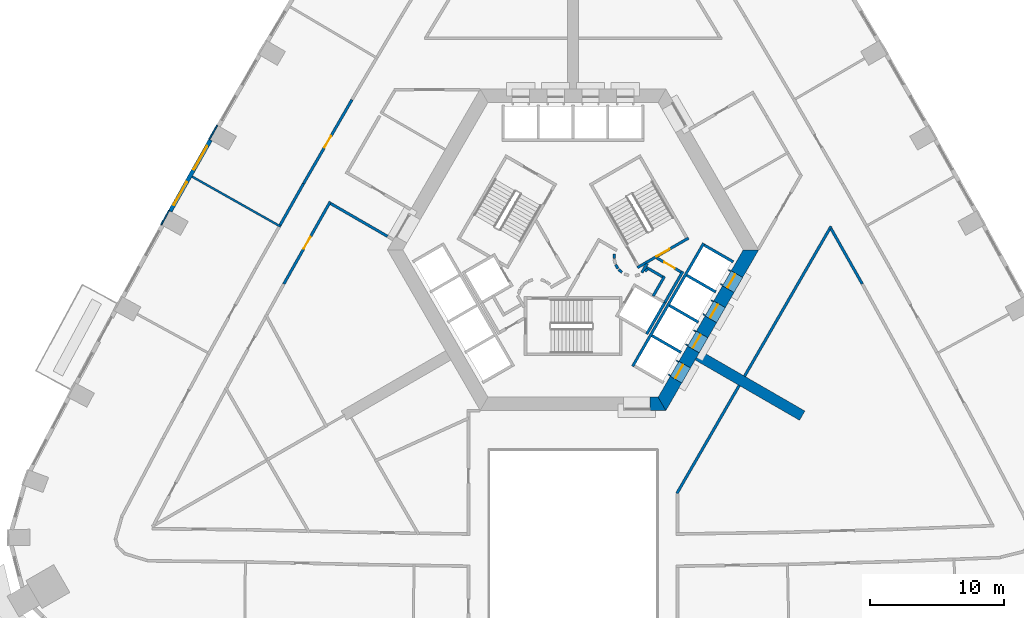
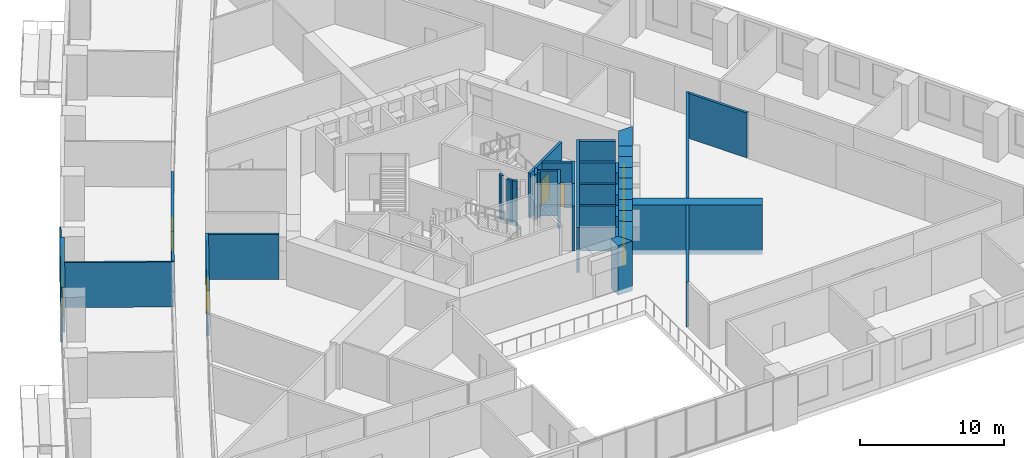
# One storey, part 7 of 15: 42 walls, 8 doors, 2 windows, 10 openings.
"""IFC4 building model written with IfcOpenShell, lengths in metres."""

from ifc_helpers import new_model, si_unit, direction, frame, frame_2d, origin, place, context, subcontext, project, spatial, polyline, rectangle, outline, extrude, material, layer, layer_set, type_object, element, fill, save


model = new_model("IFC4")

# Units and contexts
model_context = context("Model", 3, precision=1e-05, world=origin(), true_north=direction((0.0, 1.0)))
body_context = subcontext(model_context, "Body", "Model", "MODEL_VIEW")
ifc_project = project(units=[si_unit("LENGTHUNIT", "METRE"), si_unit("AREAUNIT", "SQUARE_METRE"), si_unit("VOLUMEUNIT", "CUBIC_METRE"), si_unit("PLANEANGLEUNIT", "RADIAN"), si_unit("MASSUNIT", "GRAM", prefix="KILO")], contexts=[model_context])

# Site, building, storey
site_placement = place(None, origin())
site = spatial("IfcSite", under=ifc_project, at=site_placement, CompositionType="ELEMENT")
building_placement = place(site_placement, origin())
building = spatial("IfcBuilding", under=site, at=building_placement, Name="Entoto Arch Interchange Tower", CompositionType="ELEMENT")
storey_placement = place(building_placement, frame((0.0, 0.0, 56.0)))
storey = spatial("IfcBuildingStorey", under=building, at=storey_placement, Name="L11", CompositionType="ELEMENT", Elevation=56.0)

# Walls
ifc_material_1 = material(Name="Concrete C60/75", Category="concrete")
ifc_layer_1 = layer(ifc_material_1, 0.800048828125)
ifc_layer_set_1 = layer_set([ifc_layer_1], Name="Concrete C60/75")
wall_type_1 = type_object("IfcWallType", Name="Buttress wall 800 C60/75", PredefinedType="SHEAR", material=ifc_layer_set_1)
wall_1_placement = place(storey_placement, frame((9.31005859375, -5.375, -0.39990234375), z_axis=(0.0, 0.0, 1.0), x_axis=(0.866017533419, -0.500013631625, 0.0)))
element("IfcWall", 1, at=wall_1_placement, inside=storey, type_object=wall_type_1, Name="Buttress wall SE L11", PredefinedType="SHEAR", context=body_context, shape_type="SweptSolid", body=[
    extrude(rectangle(XDim=8.999755859375, YDim=0.800048828125, at=frame_2d((4.5, 0.0))), origin(), (0.0, 0.0, 1.0), 4.199951171875),
])
ifc_layer_2 = layer(ifc_material_1, 1.0)
ifc_layer_set_2 = layer_set([ifc_layer_2], Name="Concrete C60/75")
wall_type_2 = type_object("IfcWallType", Name="Core wall 1000 C60/75", PredefinedType="SHEAR", material=ifc_layer_set_2)
wall_2_placement = place(storey_placement, frame((0.0, 0.0, -0.39990234375)))
element("IfcWall", 2, at=wall_2_placement, inside=storey, type_object=wall_type_2, Name="Core wall S L11", PredefinedType="SHEAR", context=body_context, shape_type="SweptSolid", body=[
    extrude(outline(polyline([(5.75, -8.5), (5.75, -9.5), (6.927978515625, -9.5), (6.35107421875, -8.5), (5.75, -8.5)])), origin(), (0.0, 0.0, 1.0), 4.199951171875),
])
wall_3_placement = place(storey_placement, frame((0.0, 0.0, -0.39990234375)))
element("IfcWall", 3, at=wall_3_placement, inside=storey, type_object=wall_type_2, Name="Core wall SE L11", PredefinedType="SHEAR", context=body_context, shape_type="SweptSolid", body=[
    extrude(outline(polyline([(8.116943359375, -7.43994140625), (7.251953125, -6.93994140625), (6.35107421875, -8.5), (6.927978515625, -9.5), (8.116943359375, -7.43994140625)])), origin(), (0.0, 0.0, 1.0), 4.199951171875),
])
wall_4_placement = place(storey_placement, frame((0.0, 0.0, -0.39990234375)))
element("IfcWall", 4, at=wall_4_placement, inside=storey, type_object=wall_type_2, Name="Core wall SE L11", PredefinedType="SHEAR", context=body_context, shape_type="SweptSolid", body=[
    extrude(outline(polyline([(9.4169921875, -5.18896484375), (8.551025390625, -4.68896484375), (7.902099609375, -5.81396484375), (8.76708984375, -6.31396484375), (9.4169921875, -5.18896484375)])), origin(), (0.0, 0.0, 1.0), 4.199951171875),
])
wall_5_placement = place(storey_placement, frame((0.0, 0.0, -0.39990234375)))
element("IfcWall", 5, at=wall_5_placement, inside=storey, type_object=wall_type_2, Name="Core wall SE L11", PredefinedType="SHEAR", context=body_context, shape_type="SweptSolid", body=[
    extrude(outline(polyline([(10.717041015625, -2.93701171875), (9.85107421875, -2.43701171875), (9.200927734375, -3.56298828125), (10.06689453125, -4.06298828125), (10.717041015625, -2.93701171875)])), origin(), (0.0, 0.0, 1.0), 4.199951171875),
])
wall_6_placement = place(storey_placement, frame((0.0, 0.0, -0.39990234375)))
element("IfcWall", 6, at=wall_6_placement, inside=storey, type_object=wall_type_2, Name="Core wall SE L11", PredefinedType="SHEAR", context=body_context, shape_type="SweptSolid", body=[
    extrude(outline(polyline([(12.01708984375, -0.68603515625), (11.15087890625, -0.18603515625), (10.5009765625, -1.31103515625), (11.366943359375, -1.81103515625), (12.01708984375, -0.68603515625)])), origin(), (0.0, 0.0, 1.0), 4.199951171875),
])
wall_7_placement = place(storey_placement, frame((0.0, 0.0, -0.39990234375)))
element("IfcWall", 7, at=wall_7_placement, inside=storey, type_object=wall_type_2, Name="Core wall SE L11", PredefinedType="SHEAR", context=body_context, shape_type="SweptSolid", body=[
    extrude(outline(polyline([(11.801025390625, 0.93994140625), (12.6669921875, 0.43994140625), (13.85595703125, 2.5), (12.701904296875, 2.5), (11.801025390625, 0.93994140625)])), origin(), (0.0, 0.0, 1.0), 4.199951171875),
])
wall_8_placement = place(storey_placement, frame((0.0, 0.0, 3.60009765625)))
element("IfcWall", 8, at=wall_8_placement, inside=storey, type_object=wall_type_2, Name="Core wall lintel SE L11", PredefinedType="SHEAR", context=body_context, shape_type="SweptSolid", body=[
    extrude(outline(polyline([(8.76708984375, -6.31396484375), (7.902099609375, -5.81396484375), (7.251953125, -6.93994140625), (8.116943359375, -7.43994140625), (8.76708984375, -6.31396484375)])), origin(), (0.0, 0.0, 1.0), 0.199951171875),
])
wall_9_placement = place(storey_placement, frame((0.0, 0.0, 3.60009765625)))
element("IfcWall", 9, at=wall_9_placement, inside=storey, type_object=wall_type_2, Name="Core wall lintel SE L11", PredefinedType="SHEAR", context=body_context, shape_type="SweptSolid", body=[
    extrude(outline(polyline([(10.06689453125, -4.06298828125), (9.200927734375, -3.56298828125), (8.551025390625, -4.68896484375), (9.4169921875, -5.18896484375), (10.06689453125, -4.06298828125)])), origin(), (0.0, 0.0, 1.0), 0.199951171875),
])
wall_10_placement = place(storey_placement, frame((0.0, 0.0, 3.60009765625)))
element("IfcWall", 10, at=wall_10_placement, inside=storey, type_object=wall_type_2, Name="Core wall lintel SE L11", PredefinedType="SHEAR", context=body_context, shape_type="SweptSolid", body=[
    extrude(outline(polyline([(11.366943359375, -1.81103515625), (10.5009765625, -1.31103515625), (9.85107421875, -2.43701171875), (10.717041015625, -2.93701171875), (11.366943359375, -1.81103515625)])), origin(), (0.0, 0.0, 1.0), 0.199951171875),
])
wall_11_placement = place(storey_placement, frame((0.0, 0.0, 3.60009765625)))
element("IfcWall", 11, at=wall_11_placement, inside=storey, type_object=wall_type_2, Name="Core wall lintel SE L11", PredefinedType="SHEAR", context=body_context, shape_type="SweptSolid", body=[
    extrude(outline(polyline([(12.6669921875, 0.43994140625), (11.801025390625, 0.93994140625), (11.15087890625, -0.18603515625), (12.01708984375, -0.68603515625), (12.6669921875, 0.43994140625)])), origin(), (0.0, 0.0, 1.0), 0.199951171875),
])

# Wall, opening, door
ifc_material_2 = material(Name="Concrete C40/50", Category="concrete")
ifc_layer_3 = layer(ifc_material_2, 1.199951171875)
ifc_layer_set_3 = layer_set([ifc_layer_3], Name="Concrete C40/50")
wall_type_3 = type_object("IfcWallType", Name="LIFT LANDING INFILL WALL", PredefinedType="STANDARD", material=ifc_layer_set_3)
wall_12_placement = place(storey_placement, frame((7.597900390625, -7.139892578125, 0.0), z_axis=(0.0, 0.0, 1.0), x_axis=(0.500362116554, 0.865816234728, 0.0)))
wall_12 = element("IfcWall", 12, at=wall_12_placement, inside=storey, type_object=wall_type_3, Name="Lift landing infill wall LR5 L11", PredefinedType="STANDARD", context=body_context, shape_type="SweptSolid", body=[
    extrude(rectangle(XDim=1.29931640625, YDim=1.199951171875, at=frame_2d((0.649658203125, 0.0))), origin(), (0.0, 0.0, 1.0), 2.39990234375),
])
opening_1_placement = place(wall_12_placement, frame((0.10009765625, 0.0, 0.0)))
opening_1 = element("IfcOpeningElement", 13, at=opening_1_placement, cuts=wall_12, Name="Opening LD-LR5-L11", PredefinedType="OPENING", context=body_context, shape_type="SweptSolid", body=[
    extrude(rectangle(XDim=1.10009765625, YDim=2.300048828125, at=frame_2d((0.550048828125, 1.14990234375))), frame((0.0, 0.60986328125, 0.0), z_axis=(0.0, -1.0, 0.0), x_axis=(1.0, 0.0, 0.0)), (0.0, 0.0, 1.0), 1.219970703125),
])
ifc_material_3 = material(Name="Stainless steel 1.4301 panels", Category="steel")
door_type_1 = type_object("IfcDoorType", Name="LIFT LANDING DOOR LD2 1100x2300", OperationType="SLIDING_TO_LEFT", PredefinedType="DOOR", material=ifc_material_3)
door_1_placement = place(opening_1_placement, origin())
door_1 = element("IfcDoor", 14, at=door_1_placement, inside=storey, type_object=door_type_1, Name="Lift landing door LR5 L11", OperationType="SLIDING_TO_LEFT", OverallHeight=2.300048828125, OverallWidth=1.10009765625, PredefinedType="DOOR", context=body_context, shape_type="SweptSolid", body=[
    extrude(rectangle(XDim=1.10009765625, YDim=2.300048828125, at=frame_2d((0.550048828125, 1.14990234375))), frame((0.0, 0.02490234375, 0.0), z_axis=(0.0, -1.0, 0.0), x_axis=(1.0, 0.0, 0.0)), (0.0, 0.0, 1.0), 0.050048828125),
])
fill(opening_1, door_1)

wall_13_placement = place(storey_placement, frame((8.89794921875, -4.888916015625, 0.0), z_axis=(0.0, 0.0, 1.0), x_axis=(0.500036693733, 0.866004217611, 0.0)))
wall_13 = element("IfcWall", 15, at=wall_13_placement, inside=storey, type_object=wall_type_3, Name="Lift landing infill wall LR6 L11", PredefinedType="STANDARD", context=body_context, shape_type="SweptSolid", body=[
    extrude(rectangle(XDim=1.30029296875, YDim=1.199951171875, at=frame_2d((0.650146484375, 0.0))), origin(), (0.0, 0.0, 1.0), 2.39990234375),
])
opening_2_placement = place(wall_13_placement, frame((0.10009765625, 0.0, 0.0)))
opening_2 = element("IfcOpeningElement", 16, at=opening_2_placement, cuts=wall_13, Name="Opening LD-LR6-L11", PredefinedType="OPENING", context=body_context, shape_type="SweptSolid", body=[
    extrude(rectangle(XDim=1.10009765625, YDim=2.300048828125, at=frame_2d((0.550048828125, 1.14990234375))), frame((0.0, 0.60986328125, 0.0), z_axis=(0.0, -1.0, 0.0), x_axis=(1.0, 0.0, 0.0)), (0.0, 0.0, 1.0), 1.219970703125),
])
door_2_placement = place(opening_2_placement, origin())
door_2 = element("IfcDoor", 17, at=door_2_placement, inside=storey, type_object=door_type_1, Name="Lift landing door LR6 L11", OperationType="SLIDING_TO_LEFT", OverallHeight=2.300048828125, OverallWidth=1.10009765625, PredefinedType="DOOR", context=body_context, shape_type="SweptSolid", body=[
    extrude(rectangle(XDim=1.10009765625, YDim=2.300048828125, at=frame_2d((0.550048828125, 1.14990234375))), frame((0.0, 0.02490234375, 0.0), z_axis=(0.0, -1.0, 0.0), x_axis=(1.0, 0.0, 0.0)), (0.0, 0.0, 1.0), 0.050048828125),
])
fill(opening_2, door_2)

wall_14_placement = place(storey_placement, frame((10.197998046875, -2.636962890625, 0.0), z_axis=(0.0, 0.0, 1.0), x_axis=(0.49989585183, 0.866085525409, 0.0)))
wall_14 = element("IfcWall", 18, at=wall_14_placement, inside=storey, type_object=wall_type_3, Name="Lift landing infill wall LR7 L11", PredefinedType="STANDARD", context=body_context, shape_type="SweptSolid", body=[
    extrude(rectangle(XDim=1.300048828125, YDim=1.199951171875, at=frame_2d((0.64990234375, 0.0))), origin(), (0.0, 0.0, 1.0), 2.39990234375),
])
opening_3_placement = place(wall_14_placement, frame((0.10009765625, 0.0, 0.0)))
opening_3 = element("IfcOpeningElement", 19, at=opening_3_placement, cuts=wall_14, Name="Opening LD-LR7-L11", PredefinedType="OPENING", context=body_context, shape_type="SweptSolid", body=[
    extrude(rectangle(XDim=1.10009765625, YDim=2.300048828125, at=frame_2d((0.550048828125, 1.14990234375))), frame((0.0, 0.60986328125, 0.0), z_axis=(0.0, -1.0, 0.0), x_axis=(1.0, 0.0, 0.0)), (0.0, 0.0, 1.0), 1.219970703125),
])
door_3_placement = place(opening_3_placement, origin())
door_3 = element("IfcDoor", 20, at=door_3_placement, inside=storey, type_object=door_type_1, Name="Lift landing door LR7 L11", OperationType="SLIDING_TO_LEFT", OverallHeight=2.300048828125, OverallWidth=1.10009765625, PredefinedType="DOOR", context=body_context, shape_type="SweptSolid", body=[
    extrude(rectangle(XDim=1.10009765625, YDim=2.300048828125, at=frame_2d((0.550048828125, 1.14990234375))), frame((0.0, 0.02490234375, 0.0), z_axis=(0.0, -1.0, 0.0), x_axis=(1.0, 0.0, 0.0)), (0.0, 0.0, 1.0), 0.050048828125),
])
fill(opening_3, door_3)

wall_15_placement = place(storey_placement, frame((11.498046875, -0.385009765625, 0.0), z_axis=(0.0, 0.0, 1.0), x_axis=(0.500221244143, 0.865897630733, 0.0)))
wall_15 = element("IfcWall", 21, at=wall_15_placement, inside=storey, type_object=wall_type_3, Name="Lift landing infill wall LR8 L11", PredefinedType="STANDARD", context=body_context, shape_type="SweptSolid", body=[
    extrude(rectangle(XDim=1.29931640625, YDim=1.199951171875, at=frame_2d((0.649658203125, 0.0))), origin(), (0.0, 0.0, 1.0), 2.39990234375),
])
opening_4_placement = place(wall_15_placement, frame((0.10009765625, 0.0, 0.0)))
opening_4 = element("IfcOpeningElement", 22, at=opening_4_placement, cuts=wall_15, Name="Opening LD-LR8-L11", PredefinedType="OPENING", context=body_context, shape_type="SweptSolid", body=[
    extrude(rectangle(XDim=1.10009765625, YDim=2.300048828125, at=frame_2d((0.550048828125, 1.14990234375))), frame((0.0, 0.60986328125, 0.0), z_axis=(0.0, -1.0, 0.0), x_axis=(1.0, 0.0, 0.0)), (0.0, 0.0, 1.0), 1.219970703125),
])
door_4_placement = place(opening_4_placement, origin())
door_4 = element("IfcDoor", 23, at=door_4_placement, inside=storey, type_object=door_type_1, Name="Lift landing door LR8 L11", OperationType="SLIDING_TO_LEFT", OverallHeight=2.300048828125, OverallWidth=1.10009765625, PredefinedType="DOOR", context=body_context, shape_type="SweptSolid", body=[
    extrude(rectangle(XDim=1.10009765625, YDim=2.300048828125, at=frame_2d((0.550048828125, 1.14990234375))), frame((0.0, 0.02490234375, 0.0), z_axis=(0.0, -1.0, 0.0), x_axis=(1.0, 0.0, 0.0)), (0.0, 0.0, 1.0), 0.050048828125),
])
fill(opening_4, door_4)

# Walls
ifc_layer_4 = layer(ifc_material_2, 0.199951171875)
ifc_layer_set_4 = layer_set([ifc_layer_4], Name="Concrete C40/50")
wall_type_4 = type_object("IfcWallType", Name="LIFT SHAFT WALL 200", PredefinedType="STANDARD", material=ifc_layer_set_4)
wall_16_placement = place(storey_placement, frame((5.491943359375, -3.7880859375, 0.0), z_axis=(0.0, 0.0, 1.0), x_axis=(0.500011755427, 0.866018616679, 0.0)))
element("IfcWall", 24, at=wall_16_placement, inside=storey, type_object=wall_type_4, Name="Shaft wall SE1 back", PredefinedType="STANDARD", context=body_context, shape_type="SweptSolid", body=[
    extrude(rectangle(XDim=2.80029296875, YDim=0.199951171875, at=frame_2d((1.400146484375, 0.0))), origin(), (0.0, 0.0, 1.0), 3.800048828125),
])
wall_17_placement = place(storey_placement, frame((4.450927734375, -6.18994140625, 0.0), z_axis=(0.0, 0.0, 1.0), x_axis=(0.50000090737, 0.866024879913, 0.0)))
element("IfcWall", 25, at=wall_17_placement, inside=storey, type_object=wall_type_4, Name="Shaft wall SE3 front", PredefinedType="STANDARD", context=body_context, shape_type="SweptSolid", body=[
    extrude(rectangle(XDim=10.60009765625, YDim=0.199951171875, at=frame_2d((5.300048828125, 0.0))), origin(), (0.0, 0.0, 1.0), 3.800048828125),
])
for number, where, z_axis, x_axis, name in (
    (26, (5.887939453125, -3.902099609375, 0.0), (0.0, 0.0, 1.0), (0.866022959057, -0.500004234368, 0.0), "Shaft wall SE3 cross 2"),
    (27, (7.18798828125, -1.64990234375, 0.0), (0.0, 0.0, 1.0), (0.866022959057, -0.500004234368, 0.0), "Shaft wall SE3 cross 3"),
    (28, (8.488037109375, 0.60205078125, 0.0), (0.0, 0.0, 1.0), (0.866022959057, -0.500004234368, 0.0), "Shaft wall SE3 cross 4"),
):
    element("IfcWall", number, at=place(storey_placement, frame(where, z_axis=z_axis, x_axis=x_axis)), inside=storey, type_object=wall_type_4, Name=name, PredefinedType="STANDARD", context=body_context, shape_type="SweptSolid", body=[
        extrude(rectangle(XDim=2.5, YDim=0.199951171875, at=frame_2d((1.25, 0.0))), origin(), (0.0, 0.0, 1.0), 3.800048828125),
    ])
wall_18_placement = place(storey_placement, frame((9.7880859375, 2.85302734375, 0.0), z_axis=(0.0, 0.0, 1.0), x_axis=(0.865998541277, -0.500046524342, 0.0)))
element("IfcWall", 29, at=wall_18_placement, inside=storey, type_object=wall_type_4, Name="Shaft wall SE3 cross 5", PredefinedType="STANDARD", context=body_context, shape_type="SweptSolid", body=[
    extrude(rectangle(XDim=2.499755859375, YDim=0.199951171875, at=frame_2d((1.25, 0.0))), origin(), (0.0, 0.0, 1.0), 3.800048828125),
])
ifc_material_4 = material(Name="Gypsum board partition on steel studs", Category="steel")
ifc_layer_5 = layer(ifc_material_4, 0.14990234375)
ifc_layer_set_5 = layer_set([ifc_layer_5], Name="Gypsum board partition on steel studs")
wall_type_5 = type_object("IfcWallType", Name="PARTITION 150", PredefinedType="PARTITIONING", material=ifc_layer_set_5)
wall_19_placement = place(storey_placement, frame((-21.81298828125, 4.23095703125, 0.0), z_axis=(0.0, 0.0, 1.0), x_axis=(-0.870901264369, 0.491458022337, 0.0)))
element("IfcWall", 30, at=wall_19_placement, inside=storey, type_object=wall_type_5, Name="wall:L11:p142", PredefinedType="PARTITIONING", context=body_context, shape_type="SweptSolid", body=[
    extrude(rectangle(XDim=7.60009765625, YDim=0.14990234375, at=frame_2d((3.800048828125, 0.0))), origin(), (0.0, 0.0, 1.0), 3.800048828125),
])
ifc_layer_6 = layer(ifc_material_4, 0.199951171875)
ifc_layer_set_6 = layer_set([ifc_layer_6], Name="Gypsum board partition on steel studs")
wall_type_6 = type_object("IfcWallType", Name="PARTITION 200", PredefinedType="PARTITIONING", material=ifc_layer_set_6)
wall_20_placement = place(storey_placement, frame((21.5849609375, -0.044921875, 0.0), z_axis=(0.0, 0.0, 1.0), x_axis=(-0.491542684896, 0.870853483042, 0.0)))
element("IfcWall", 31, at=wall_20_placement, inside=storey, type_object=wall_type_6, Name="wall:L11:p024", PredefinedType="PARTITIONING", context=body_context, shape_type="SweptSolid", body=[
    extrude(rectangle(XDim=4.73779296875, YDim=0.199951171875, at=frame_2d((2.368896484375, 0.0))), origin(), (0.0, 0.0, 1.0), 3.800048828125),
])

# Wall, opening, door
wall_21_placement = place(storey_placement, frame((-18.1220703125, 6.092041015625, 0.0), z_axis=(0.0, 0.0, 1.0), x_axis=(-0.491430359405, -0.870916874251, 0.0)))
wall_21 = element("IfcWall", 32, at=wall_21_placement, inside=storey, type_object=wall_type_6, Name="wall:L11:p026", PredefinedType="PARTITIONING", context=body_context, shape_type="SweptSolid", body=[
    extrude(rectangle(XDim=7.046630859375, YDim=0.199951171875, at=frame_2d((3.5234375, 0.0))), origin(), (0.0, 0.0, 1.0), 3.800048828125),
])
opening_5_placement = place(wall_21_placement, frame((3.02392578125, 0.0, 0.0)))
opening_5 = element("IfcOpeningElement", 33, at=opening_5_placement, cuts=wall_21, Name="Opening L11-D21", PredefinedType="OPENING", context=body_context, shape_type="SweptSolid", body=[
    extrude(rectangle(XDim=1.0, YDim=2.10009765625, at=frame_2d((0.5, 1.050048828125))), frame((0.0, 0.10986328125, 0.0), z_axis=(0.0, -1.0, 0.0), x_axis=(1.0, 0.0, 0.0)), (0.0, 0.0, 1.0), 0.219970703125),
])
ifc_material_5 = material(Name="Timber door leaf in Steel S235 frame", Category="steel")
door_type_2 = type_object("IfcDoorType", Name="DOOR DS-10 1000x2100", OperationType="SINGLE_SWING_LEFT", PredefinedType="DOOR", material=ifc_material_5)
door_5_placement = place(opening_5_placement, origin())
door_5 = element("IfcDoor", 34, at=door_5_placement, inside=storey, type_object=door_type_2, Name="door:L11:21", OperationType="SINGLE_SWING_LEFT", OverallHeight=2.10009765625, OverallWidth=1.0, PredefinedType="DOOR", context=body_context, shape_type="SweptSolid", body=[
    extrude(rectangle(XDim=1.0, YDim=2.10009765625, at=frame_2d((0.5, 1.050048828125))), frame((0.0, 0.02490234375, 0.0), z_axis=(0.0, -1.0, 0.0), x_axis=(1.0, 0.0, 0.0)), (0.0, 0.0, 1.0), 0.050048828125),
])
fill(opening_5, door_5)

# Wall
wall_22_placement = place(storey_placement, frame((-21.863037109375, 4.344970703125, 0.0), z_axis=(0.0, 0.0, 1.0), x_axis=(0.491394823876, 0.87093692485, 0.0)))
element("IfcWall", 35, at=wall_22_placement, inside=storey, type_object=wall_type_6, Name="wall:L11:p064", PredefinedType="PARTITIONING", context=body_context, shape_type="SweptSolid", body=[
    extrude(rectangle(XDim=3.546875, YDim=0.199951171875, at=frame_2d((1.7734375, 0.0))), origin(), (0.0, 0.0, 1.0), 3.800048828125),
])

# Wall, opening, door
wall_23_placement = place(storey_placement, frame((-20.1201171875, 7.43408203125, 0.0), z_axis=(0.0, 0.0, 1.0), x_axis=(0.500039488902, 0.866002603656, 0.0)))
wall_23 = element("IfcWall", 36, at=wall_23_placement, inside=storey, type_object=wall_type_6, Name="wall:L11:p065", PredefinedType="PARTITIONING", context=body_context, shape_type="SweptSolid", body=[
    extrude(rectangle(XDim=7.24365234375, YDim=0.199951171875, at=frame_2d((3.621826171875, 0.0))), origin(), (0.0, 0.0, 1.0), 3.800048828125),
])
opening_6_placement = place(wall_23_placement, frame((3.1220703125, 0.0, 0.0)))
opening_6 = element("IfcOpeningElement", 37, at=opening_6_placement, cuts=wall_23, Name="Opening L11-D11", PredefinedType="OPENING", context=body_context, shape_type="SweptSolid", body=[
    extrude(rectangle(XDim=1.0, YDim=2.10009765625, at=frame_2d((0.5, 1.050048828125))), frame((0.0, 0.10986328125, 0.0), z_axis=(0.0, -1.0, 0.0), x_axis=(1.0, 0.0, 0.0)), (0.0, 0.0, 1.0), 0.219970703125),
])
door_6_placement = place(opening_6_placement, origin())
door_6 = element("IfcDoor", 38, at=door_6_placement, inside=storey, type_object=door_type_2, Name="door:L11:11", OperationType="SINGLE_SWING_LEFT", OverallHeight=2.10009765625, OverallWidth=1.0, PredefinedType="DOOR", context=body_context, shape_type="SweptSolid", body=[
    extrude(rectangle(XDim=1.0, YDim=2.10009765625, at=frame_2d((0.5, 1.050048828125))), frame((0.0, 0.02490234375, 0.0), z_axis=(0.0, -1.0, 0.0), x_axis=(1.0, 0.0, 0.0)), (0.0, 0.0, 1.0), 0.050048828125),
])
fill(opening_6, door_6)

# Walls
wall_24_placement = place(storey_placement, frame((5.389892578125, 0.89794921875, 0.0), z_axis=(0.0, 0.0, 1.0), x_axis=(0.673828488714, 0.738887791073, 0.0)))
element("IfcWall", 39, at=wall_24_placement, inside=storey, type_object=wall_type_6, Name="wall:L11:p079", PredefinedType="PARTITIONING", context=body_context, shape_type="SweptSolid", body=[
    extrude(rectangle(XDim=0.2626953125, YDim=0.199951171875, at=frame_2d((0.13134765625, 0.0))), origin(), (0.0, 0.0, 1.0), 3.800048828125),
])
wall_25_placement = place(storey_placement, frame((5.4990234375, 1.172119140625, 0.0), z_axis=(0.0, 0.0, 1.0), x_axis=(0.866333505267, -0.499465972466, 0.0)))
element("IfcWall", 40, at=wall_25_placement, inside=storey, type_object=wall_type_6, Name="wall:L11:p080", PredefinedType="PARTITIONING", context=body_context, shape_type="SweptSolid", body=[
    extrude(rectangle(XDim=1.37353515625, YDim=0.199951171875, at=frame_2d((0.686767578125, 0.0))), origin(), (0.0, 0.0, 1.0), 3.800048828125),
])
wall_26_placement = place(storey_placement, frame((6.825927734375, 0.52197265625, 0.0), z_axis=(0.0, 0.0, 1.0), x_axis=(-0.500016722714, -0.866015748706, 0.0)))
element("IfcWall", 41, at=wall_26_placement, inside=storey, type_object=wall_type_6, Name="wall:L11:p081", PredefinedType="PARTITIONING", context=body_context, shape_type="SweptSolid", body=[
    extrude(rectangle(XDim=1.69970703125, YDim=0.199951171875, at=frame_2d((0.849853515625, 0.0))), origin(), (0.0, 0.0, 1.0), 3.800048828125),
])

# Wall, opening, door
wall_27_placement = place(storey_placement, frame((6.25, 1.89404296875, 0.0), z_axis=(0.0, 0.0, 1.0), x_axis=(0.866043184279, -0.499969202016, 0.0)))
wall_27 = element("IfcWall", 42, at=wall_27_placement, inside=storey, type_object=wall_type_6, Name="wall:L11:p082", PredefinedType="PARTITIONING", context=body_context, shape_type="SweptSolid", body=[
    extrude(rectangle(XDim=2.084228515625, YDim=0.199951171875, at=frame_2d((1.0419921875, 0.0))), origin(), (0.0, 0.0, 1.0), 3.800048828125),
])
opening_7_placement = place(wall_27_placement, frame((0.64208984375, 0.0, 0.0)))
opening_7 = element("IfcOpeningElement", 43, at=opening_7_placement, cuts=wall_27, Name="Opening L11-D33", PredefinedType="OPENING", context=body_context, shape_type="SweptSolid", body=[
    extrude(rectangle(XDim=0.89990234375, YDim=2.10009765625, at=frame_2d((0.449951171875, 1.050048828125))), frame((0.0, 0.10986328125, 0.0), z_axis=(0.0, -1.0, 0.0), x_axis=(1.0, 0.0, 0.0)), (0.0, 0.0, 1.0), 0.219970703125),
])
door_type_3 = type_object("IfcDoorType", Name="DOOR DS-09 900x2100", OperationType="SINGLE_SWING_LEFT", PredefinedType="DOOR", material=ifc_material_5)
door_7_placement = place(opening_7_placement, origin())
door_7 = element("IfcDoor", 44, at=door_7_placement, inside=storey, type_object=door_type_3, Name="door:L11:33", OperationType="SINGLE_SWING_LEFT", OverallHeight=2.10009765625, OverallWidth=0.89990234375, PredefinedType="DOOR", context=body_context, shape_type="SweptSolid", body=[
    extrude(rectangle(XDim=0.89990234375, YDim=2.10009765625, at=frame_2d((0.449951171875, 1.050048828125))), frame((0.0, 0.02490234375, 0.0), z_axis=(0.0, -1.0, 0.0), x_axis=(1.0, 0.0, 0.0)), (0.0, 0.0, 1.0), 0.050048828125),
])
fill(opening_7, door_7)

# Walls
wall_28_placement = place(storey_placement, frame((8.19189453125, 0.887939453125, 0.0), z_axis=(0.0, 0.0, 1.0), x_axis=(-0.499940625693, -0.866059680843, 0.0)))
element("IfcWall", 45, at=wall_28_placement, inside=storey, type_object=wall_type_6, Name="wall:L11:p083", PredefinedType="PARTITIONING", context=body_context, shape_type="SweptSolid", body=[
    extrude(rectangle(XDim=2.679931640625, YDim=0.199951171875, at=frame_2d((1.33984375, 0.0))), origin(), (0.0, 0.0, 1.0), 3.800048828125),
])
wall_29_placement = place(storey_placement, frame((5.135009765625, 0.79296875, 0.0), z_axis=(0.0, 0.0, 1.0), x_axis=(0.499526442893, 0.866298639529, 0.0)))
element("IfcWall", 46, at=wall_29_placement, inside=storey, type_object=wall_type_6, Name="wall:L11:p084", PredefinedType="PARTITIONING", context=body_context, shape_type="SweptSolid", body=[
    extrude(rectangle(XDim=0.790771484375, YDim=0.199951171875, at=frame_2d((0.3955078125, 0.0))), origin(), (0.0, 0.0, 1.0), 3.800048828125),
])
wall_30_placement = place(storey_placement, frame((3.0791015625, 2.198974609375, 0.0), z_axis=(0.0, 0.0, 1.0), x_axis=(-0.047771483479, -0.998858290933, 0.0)))
element("IfcWall", 47, at=wall_30_placement, inside=storey, type_object=wall_type_6, Name="wall:L11:p096", PredefinedType="PARTITIONING", context=body_context, shape_type="SweptSolid", body=[
    extrude(rectangle(XDim=0.33740234375, YDim=0.199951171875, at=frame_2d((0.168701171875, 0.0))), origin(), (0.0, 0.0, 1.0), 3.800048828125),
])
for number, where, z_axis, x_axis, name in (
    (48, (3.181884765625, 1.387939453125, 0.0), (0.0, 0.0, 1.0), (0.512474702713, -0.85870232274, 0.0), "wall:L11:p098"),
    (49, (3.404052734375, 1.0390625, 0.0), (0.0, 0.0, 1.0), (0.740267097712, -0.672312891476, 0.0), "wall:L11:p099"),
):
    element("IfcWall", number, at=place(storey_placement, frame(where, z_axis=z_axis, x_axis=x_axis)), inside=storey, type_object=wall_type_6, Name=name, PredefinedType="PARTITIONING", context=body_context, shape_type="SweptSolid", body=[
        extrude(rectangle(XDim=0.337646484375, YDim=0.199951171875, at=frame_2d((0.1689453125, 0.0))), origin(), (0.0, 0.0, 1.0), 3.800048828125),
    ])
wall_31_placement = place(storey_placement, frame((19.257080078125, 4.2548828125, 0.0), z_axis=(0.0, 0.0, 1.0), x_axis=(-0.499978317034, -0.866037922089, 0.0)))
element("IfcWall", 50, at=wall_31_placement, inside=storey, type_object=wall_type_6, Name="wall:L11:p118", PredefinedType="PARTITIONING", context=body_context, shape_type="SweptSolid", body=[
    extrude(rectangle(XDim=12.91259765625, YDim=0.199951171875, at=frame_2d((6.456298828125, 0.0))), origin(), (0.0, 0.0, 1.0), 3.800048828125),
])
wall_32_placement = place(storey_placement, frame((12.40087890625, -7.62109375, 0.0), z_axis=(0.0, 0.0, 1.0), x_axis=(-0.499983724212, -0.866034800411, 0.0)))
element("IfcWall", 51, at=wall_32_placement, inside=storey, type_object=wall_type_6, Name="wall:L11:p118", PredefinedType="PARTITIONING", context=body_context, shape_type="SweptSolid", body=[
    extrude(rectangle(XDim=9.302001953125, YDim=0.199951171875, at=frame_2d((4.65087890625, 0.0))), origin(), (0.0, 0.0, 1.0), 3.800048828125),
])
wall_33_placement = place(storey_placement, frame((-13.85009765625, 3.510009765625, 0.0), z_axis=(0.0, 0.0, 1.0), x_axis=(-0.865969361037, 0.500097056325, 0.0)))
element("IfcWall", 52, at=wall_33_placement, inside=storey, type_object=wall_type_6, Name="wall:L11:p025", PredefinedType="PARTITIONING", context=body_context, shape_type="SweptSolid", body=[
    extrude(rectangle(XDim=4.88916015625, YDim=0.199951171875, at=frame_2d((2.444580078125, 0.0))), origin(), (0.0, 0.0, 1.0), 3.800048828125),
])

# Wall, opening, door
ifc_layer_7 = layer(ifc_material_2, 0.199951171875)
ifc_layer_set_7 = layer_set([ifc_layer_7], Name="Concrete C40/50")
wall_type_7 = type_object("IfcWallType", Name="STAIR ENCLOSURE WALL 200", PredefinedType="STANDARD", material=ifc_layer_set_7)
wall_34_placement = place(storey_placement, frame((4.805908203125, 1.176025390625, 0.0), z_axis=(0.0, 0.0, 1.0), x_axis=(0.866059941101, 0.499940174841, 0.0)))
wall_34 = element("IfcWall", 53, at=wall_34_placement, inside=storey, type_object=wall_type_7, Name="Stair wall ST-NE near", PredefinedType="STANDARD", context=body_context, shape_type="SweptSolid", body=[
    extrude(rectangle(XDim=4.400390625, YDim=0.199951171875, at=frame_2d((2.2001953125, 0.0))), origin(), (0.0, 0.0, 1.0), 3.800048828125),
])
opening_8_placement = place(wall_34_placement, frame((1.64990234375, 0.0, 0.0)))
opening_8 = element("IfcOpeningElement", 54, at=opening_8_placement, cuts=wall_34, Name="Opening SD-ST-NE-L11-E", PredefinedType="OPENING", context=body_context, shape_type="SweptSolid", body=[
    extrude(rectangle(XDim=1.10009765625, YDim=2.199951171875, at=frame_2d((0.550048828125, 1.10009765625))), frame((0.0, 0.10986328125, 0.0), z_axis=(0.0, -1.0, 0.0), x_axis=(1.0, 0.0, 0.0)), (0.0, 0.0, 1.0), 0.219970703125),
])
ifc_material_6 = material(Name="Steel S235", Category="steel")
door_type_4 = type_object("IfcDoorType", Name="STAIR DOOR SD1 1100x2200", OperationType="SINGLE_SWING_LEFT", PredefinedType="DOOR", material=ifc_material_6)
door_8_placement = place(opening_8_placement, origin())
door_8 = element("IfcDoor", 55, at=door_8_placement, inside=storey, type_object=door_type_4, Name="Stair door ST-NE L11 end", OperationType="SINGLE_SWING_LEFT", OverallHeight=2.199951171875, OverallWidth=1.10009765625, PredefinedType="DOOR", context=body_context, shape_type="SweptSolid", body=[
    extrude(rectangle(XDim=1.10009765625, YDim=2.199951171875, at=frame_2d((0.550048828125, 1.10009765625))), frame((0.0, 0.02490234375, 0.0), z_axis=(0.0, -1.0, 0.0), x_axis=(1.0, 0.0, 0.0)), (0.0, 0.0, 1.0), 0.050048828125),
])
fill(opening_8, door_8)

# Wall, openings, windows
ifc_material_7 = material(Name="Welded tuff (ignimbrite) cladding, warm buff", Category="masonry")
ifc_layer_8 = layer(ifc_material_7, 0.300048828125)
ifc_layer_set_8 = layer_set([ifc_layer_8], Name="Welded tuff (ignimbrite) cladding, warm buff")
wall_type_8 = type_object("IfcWallType", Name="STONE INFILL WALL 300", PredefinedType="STANDARD", material=ifc_layer_set_8)
wall_35_placement = place(storey_placement, frame((-27.05810546875, 10.705078125, 0.0), z_axis=(0.0, 0.0, 1.0), x_axis=(-0.49151046248, -0.870871669807, 0.0)))
wall_35 = element("IfcWall", 56, at=wall_35_placement, inside=storey, type_object=wall_type_8, Name="Facade wall NW-06 L11", PredefinedType="STANDARD", context=body_context, shape_type="SweptSolid", body=[
    extrude(rectangle(XDim=6.12158203125, YDim=0.300048828125, at=frame_2d((3.060791015625, 0.0))), origin(), (0.0, 0.0, 1.0), 3.800048828125),
])
opening_9_placement = place(wall_35_placement, frame((0.530029296875, 0.0, 0.89990234375)))
opening_9 = element("IfcOpeningElement", 57, at=opening_9_placement, cuts=wall_35, Name="Opening WO-C", PredefinedType="OPENING", context=body_context, shape_type="SweptSolid", body=[
    extrude(rectangle(XDim=2.0, YDim=2.60009765625, at=frame_2d((1.0, 1.300048828125))), frame((0.0, 0.16015625, 0.0), z_axis=(0.0, -1.0, 0.0), x_axis=(1.0, 0.0, 0.0)), (0.0, 0.0, 1.0), 0.320068359375),
])
opening_10_placement = place(wall_35_placement, frame((3.591064453125, 0.0, 0.89990234375)))
opening_10 = element("IfcOpeningElement", 58, at=opening_10_placement, cuts=wall_35, Name="Opening WO-C", PredefinedType="OPENING", context=body_context, shape_type="SweptSolid", body=[
    extrude(rectangle(XDim=2.0, YDim=2.60009765625, at=frame_2d((1.0, 1.300048828125))), frame((0.0, 0.16015625, 0.0), z_axis=(0.0, -1.0, 0.0), x_axis=(1.0, 0.0, 0.0)), (0.0, 0.0, 1.0), 0.320068359375),
])
ifc_material_8 = material(Name="Clear glass, low-e double glazed", Category="glass")
window_type = type_object("IfcWindowType", Name="WINDOW WO-C 2000x2600", PartitioningType="DOUBLE_PANEL_VERTICAL", PredefinedType="WINDOW", material=ifc_material_8)
window_1_placement = place(opening_9_placement, origin())
window_1 = element("IfcWindow", 59, at=window_1_placement, inside=storey, type_object=window_type, Name="Window WO-C NW-06 L11", OverallHeight=2.60009765625, OverallWidth=2.0, PartitioningType="SINGLE_PANEL", PredefinedType="WINDOW", context=body_context, shape_type="SweptSolid", body=[
    extrude(rectangle(XDim=2.0, YDim=2.60009765625, at=frame_2d((1.0, 1.300048828125))), frame((0.0, 0.030029296875, 0.0), z_axis=(0.0, -1.0, 0.0), x_axis=(1.0, 0.0, 0.0)), (0.0, 0.0, 1.0), 0.06005859375),
])
fill(opening_9, window_1)
window_2_placement = place(opening_10_placement, origin())
window_2 = element("IfcWindow", 60, at=window_2_placement, inside=storey, type_object=window_type, Name="Window WO-C NW-06 L11", OverallHeight=2.60009765625, OverallWidth=2.0, PartitioningType="SINGLE_PANEL", PredefinedType="WINDOW", context=body_context, shape_type="SweptSolid", body=[
    extrude(rectangle(XDim=2.0, YDim=2.60009765625, at=frame_2d((1.0, 1.300048828125))), frame((0.0, 0.030029296875, 0.0), z_axis=(0.0, -1.0, 0.0), x_axis=(1.0, 0.0, 0.0)), (0.0, 0.0, 1.0), 0.06005859375),
])
fill(opening_10, window_2)

# Walls
ifc_layer_9 = layer(ifc_material_7, 0.10009765625)
ifc_layer_set_9 = layer_set([ifc_layer_9], Name="Welded tuff (ignimbrite) cladding, warm buff")
wall_type_9 = type_object("IfcWallType", Name="STONE PIER CLADDING 100", PredefinedType="STANDARD", material=ifc_layer_set_9)
wall_36_placement = place(storey_placement, frame((-26.552978515625, 11.797119140625, 0.0), z_axis=(0.0, 0.0, 1.0), x_axis=(-0.495766453659, -0.86845588456, 0.0)))
element("IfcWall", 61, at=wall_36_placement, inside=storey, type_object=wall_type_9, Name="Stone pier NW06 L11", PredefinedType="STANDARD", context=body_context, shape_type="SweptSolid", body=[
    extrude(rectangle(XDim=1.2001953125, YDim=0.10009765625, at=frame_2d((0.60009765625, 0.0))), origin(), (0.0, 0.0, 1.0), 3.800048828125),
])
wall_37_placement = place(storey_placement, frame((-30.156005859375, 5.425048828125, 0.0), z_axis=(0.0, 0.0, 1.0), x_axis=(-0.486730996044, -0.87355190887, 0.0)))
element("IfcWall", 62, at=wall_37_placement, inside=storey, type_object=wall_type_9, Name="Stone pier NW07 L11", PredefinedType="STANDARD", context=body_context, shape_type="SweptSolid", body=[
    extrude(rectangle(XDim=1.19970703125, YDim=0.10009765625, at=frame_2d((0.599853515625, 0.0))), origin(), (0.0, 0.0, 1.0), 3.800048828125),
])

save(model, "model.ifc")
